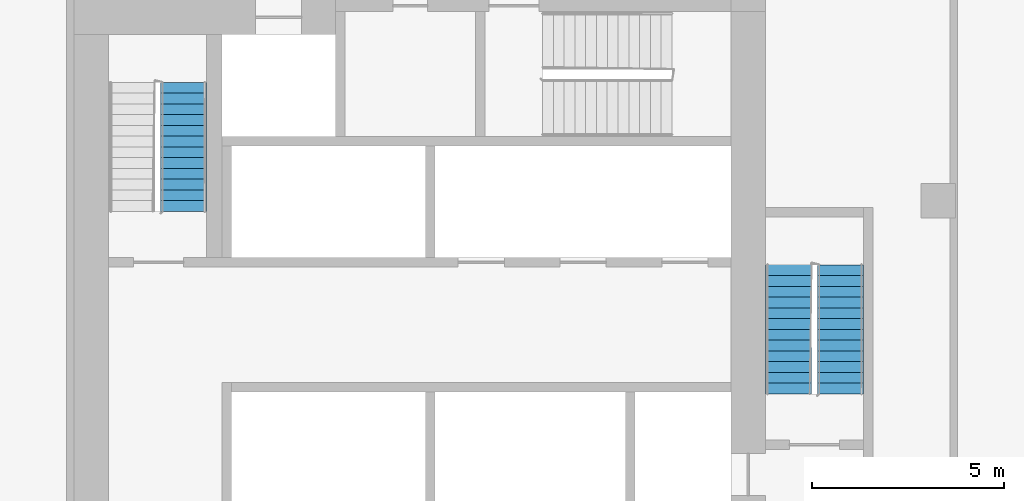
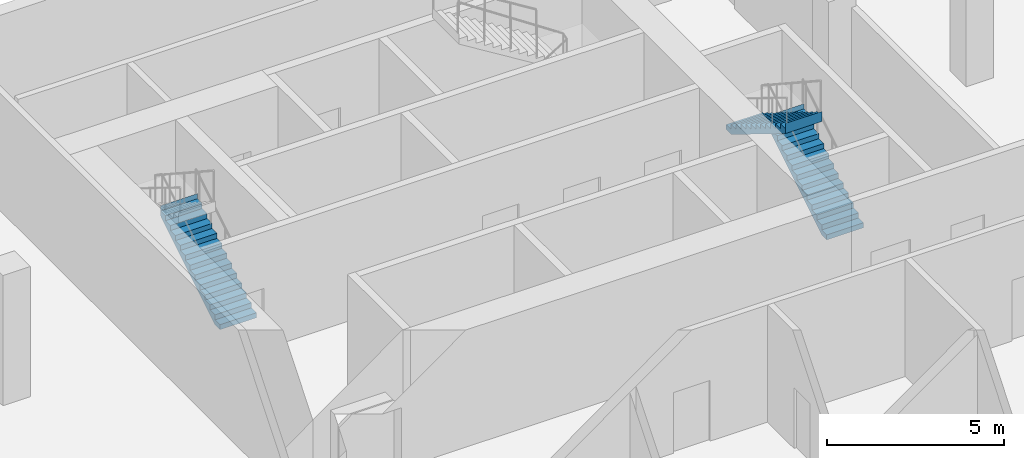
# One storey, part 11 of 15: 3 stair flights, 2 elements without a shape of their own.
"""IFC4 building model written with IfcOpenShell, lengths in metres."""

from ifc_helpers import new_model, si_unit, direction, frame, origin, place, context, subcontext, project, spatial, faceted_brep, material, type_object, element, aggregate, save


model = new_model("IFC4")

# Units and contexts
model_context = context("Model", 3, precision=1e-05, world=origin(), true_north=direction((0.0, 1.0)))
body_context = subcontext(model_context, "Body", "Model", "MODEL_VIEW")
ifc_project = project(units=[si_unit("LENGTHUNIT", "METRE"), si_unit("AREAUNIT", "SQUARE_METRE"), si_unit("VOLUMEUNIT", "CUBIC_METRE"), si_unit("PLANEANGLEUNIT", "RADIAN"), si_unit("MASSUNIT", "GRAM", prefix="KILO")], contexts=[model_context])

# Site, building, storey
site_placement = place(None, origin())
site = spatial("IfcSite", under=ifc_project, at=site_placement, CompositionType="ELEMENT")
building_placement = place(site_placement, origin())
building = spatial("IfcBuilding", under=site, at=building_placement, Name="Kajstack Hotel Tower", CompositionType="ELEMENT")
storey_placement = place(building_placement, frame((0.0, 0.0, 29.0)))
storey = spatial("IfcBuildingStorey", under=building, at=storey_placement, Name="L04", CompositionType="ELEMENT", Elevation=29.0)

# Stair, stair flights
ifc_material = material(Name="Concrete C40/50", Category="concrete")
stair_type = type_object("IfcStairType", Name="Exit stair 1200", PredefinedType="HALF_TURN_STAIR", material=ifc_material)
stair_1_placement = place(storey_placement, origin())
stair_1 = element("IfcStair", 1, at=stair_1_placement, inside=storey, type_object=stair_type, Name="L04 stair E1", PredefinedType="HALF_TURN_STAIR")
stair_flight_type = type_object("IfcStairFlightType", Name="Exit stair flight 1200", PredefinedType="STRAIGHT", material=ifc_material)
stair_flight_1_placement = place(storey_placement, frame((33.449951171875, 5.25, 0.0), z_axis=(0.0, 0.0, 1.0), x_axis=(0.0, 1.0, 0.0)))
stair_flight_1 = element("IfcStairFlight", 2, at=stair_flight_1_placement, type_object=stair_flight_type, Name="E1 flight 1", NumberOfRisers=13, NumberOfTreads=12, PredefinedType="STRAIGHT", RiserHeight=0.173076923, TreadLength=0.28, context=body_context, shape_type="Brep", body=[
    faceted_brep([(0.28564453125, -0.60009765625, 0.0), (3.360595703125, -0.60009765625, 1.900634765625), (3.360595703125, -0.60009765625, 2.25), (3.360107421875, -0.60009765625, 2.25), (3.360107421875, -0.60009765625, 2.076904296875), (3.080078125, -0.60009765625, 2.076904296875), (3.080078125, -0.60009765625, 1.90380859375), (2.800048828125, -0.60009765625, 1.90380859375), (2.800048828125, -0.60009765625, 1.730712890625), (2.52001953125, -0.60009765625, 1.730712890625), (2.52001953125, -0.60009765625, 1.5576171875), (2.239990234375, -0.60009765625, 1.5576171875), (2.239990234375, -0.60009765625, 1.384521484375), (1.9599609375, -0.60009765625, 1.384521484375), (1.9599609375, -0.60009765625, 1.21142578125), (1.679931640625, -0.60009765625, 1.21142578125), (1.679931640625, -0.60009765625, 1.03857421875), (1.39990234375, -0.60009765625, 1.03857421875), (1.39990234375, -0.60009765625, 0.865478515625), (1.1201171875, -0.60009765625, 0.865478515625), (1.1201171875, -0.60009765625, 0.6923828125), (0.840087890625, -0.60009765625, 0.6923828125), (0.840087890625, -0.60009765625, 0.519287109375), (0.56005859375, -0.60009765625, 0.519287109375), (0.56005859375, -0.60009765625, 0.34619140625), (0.280029296875, -0.60009765625, 0.34619140625), (0.280029296875, -0.60009765625, 0.173095703125), (-0.00048828125, -0.60009765625, 0.173095703125), (-0.00048828125, -0.60009765625, 0.0), (-0.00048828125, 0.60009765625, 0.0), (-0.00048828125, 0.60009765625, 0.173095703125), (0.280029296875, 0.60009765625, 0.173095703125), (0.280029296875, 0.60009765625, 0.34619140625), (0.56005859375, 0.60009765625, 0.34619140625), (0.56005859375, 0.60009765625, 0.519287109375), (0.840087890625, 0.60009765625, 0.519287109375), (0.840087890625, 0.60009765625, 0.6923828125), (1.1201171875, 0.60009765625, 0.6923828125), (1.1201171875, 0.60009765625, 0.865478515625), (1.39990234375, 0.60009765625, 0.865478515625), (1.39990234375, 0.60009765625, 1.03857421875), (1.679931640625, 0.60009765625, 1.03857421875), (1.679931640625, 0.60009765625, 1.21142578125), (1.9599609375, 0.60009765625, 1.21142578125), (1.9599609375, 0.60009765625, 1.384521484375), (2.239990234375, 0.60009765625, 1.384521484375), (2.239990234375, 0.60009765625, 1.5576171875), (2.52001953125, 0.60009765625, 1.5576171875), (2.52001953125, 0.60009765625, 1.730712890625), (2.800048828125, 0.60009765625, 1.730712890625), (2.800048828125, 0.60009765625, 1.90380859375), (3.080078125, 0.60009765625, 1.90380859375), (3.080078125, 0.60009765625, 2.076904296875), (3.360107421875, 0.60009765625, 2.076904296875), (3.360107421875, 0.60009765625, 2.25), (3.360595703125, 0.60009765625, 2.25), (3.360595703125, 0.60009765625, 1.900634765625), (0.28564453125, 0.60009765625, 0.0), (-0.00048828125, -0.300048828125, 0.173095703125), (-0.00048828125, 0.0, 0.173095703125), (-0.00048828125, 0.300048828125, 0.173095703125), (-0.00048828125, 0.300048828125, 0.0), (-0.00048828125, 0.0, 0.0), (-0.00048828125, -0.300048828125, 0.0), (0.280029296875, -0.300048828125, 0.173095703125), (0.280029296875, 0.0, 0.173095703125), (0.280029296875, 0.300048828125, 0.173095703125), (0.280029296875, -0.300048828125, 0.34619140625), (0.280029296875, 0.0, 0.34619140625), (0.280029296875, 0.300048828125, 0.34619140625), (0.56005859375, -0.300048828125, 0.34619140625), (0.56005859375, 0.0, 0.34619140625), (0.56005859375, 0.300048828125, 0.34619140625), (0.56005859375, -0.300048828125, 0.519287109375), (0.56005859375, 0.0, 0.519287109375), (0.56005859375, 0.300048828125, 0.519287109375), (0.840087890625, -0.300048828125, 0.519287109375), (0.840087890625, 0.0, 0.519287109375), (0.840087890625, 0.300048828125, 0.519287109375), (0.840087890625, -0.300048828125, 0.6923828125), (0.840087890625, 0.0, 0.6923828125), (0.840087890625, 0.300048828125, 0.6923828125), (1.1201171875, -0.300048828125, 0.6923828125), (1.1201171875, 0.0, 0.6923828125), (1.1201171875, 0.300048828125, 0.6923828125), (1.1201171875, -0.300048828125, 0.865478515625), (1.1201171875, 0.0, 0.865478515625), (1.1201171875, 0.300048828125, 0.865478515625), (1.39990234375, -0.300048828125, 0.865478515625), (1.39990234375, 0.0, 0.865478515625), (1.39990234375, 0.300048828125, 0.865478515625), (1.39990234375, -0.300048828125, 1.03857421875), (1.39990234375, 0.0, 1.03857421875), (1.39990234375, 0.300048828125, 1.03857421875), (1.679931640625, -0.300048828125, 1.03857421875), (1.679931640625, 0.0, 1.03857421875), (1.679931640625, 0.300048828125, 1.03857421875), (1.679931640625, -0.300048828125, 1.21142578125), (1.679931640625, 0.0, 1.21142578125), (1.679931640625, 0.300048828125, 1.21142578125), (1.9599609375, -0.300048828125, 1.21142578125), (1.9599609375, 0.0, 1.21142578125), (1.9599609375, 0.300048828125, 1.21142578125), (1.9599609375, -0.300048828125, 1.384521484375), (1.9599609375, 0.0, 1.384521484375), (1.9599609375, 0.300048828125, 1.384521484375), (2.239990234375, -0.300048828125, 1.384521484375), (2.239990234375, 0.0, 1.384521484375), (2.239990234375, 0.300048828125, 1.384521484375), (2.239990234375, -0.300048828125, 1.5576171875), (2.239990234375, 0.0, 1.5576171875), (2.239990234375, 0.300048828125, 1.5576171875), (2.52001953125, -0.300048828125, 1.5576171875), (2.52001953125, 0.0, 1.5576171875), (2.52001953125, 0.300048828125, 1.5576171875), (2.52001953125, -0.300048828125, 1.730712890625), (2.52001953125, 0.0, 1.730712890625), (2.52001953125, 0.300048828125, 1.730712890625), (2.800048828125, -0.300048828125, 1.730712890625), (2.800048828125, 0.0, 1.730712890625), (2.800048828125, 0.300048828125, 1.730712890625), (2.800048828125, -0.300048828125, 1.90380859375), (2.800048828125, 0.0, 1.90380859375), (2.800048828125, 0.300048828125, 1.90380859375), (3.080078125, -0.300048828125, 1.90380859375), (3.080078125, 0.0, 1.90380859375), (3.080078125, 0.300048828125, 1.90380859375), (3.080078125, -0.300048828125, 2.076904296875), (3.080078125, 0.0, 2.076904296875), (3.080078125, 0.300048828125, 2.076904296875), (3.360107421875, -0.300048828125, 2.076904296875), (3.360107421875, 0.0, 2.076904296875), (3.360107421875, 0.300048828125, 2.076904296875), (3.360107421875, -0.300048828125, 2.25), (3.360107421875, 0.0, 2.25), (3.360107421875, 0.300048828125, 2.25), (3.360595703125, -0.300048828125, 2.25), (3.360595703125, 0.0, 2.25), (3.360595703125, 0.300048828125, 2.25), (3.360595703125, -0.300048828125, 1.900634765625), (3.360595703125, 0.0, 1.900634765625), (3.360595703125, 0.300048828125, 1.900634765625), (0.28564453125, -0.300048828125, 0.0), (0.28564453125, 0.0, 0.0), (0.28564453125, 0.300048828125, 0.0)], [[[0, 1, 2, 3, 4, 5, 6, 7, 8, 9, 10, 11, 12, 13, 14, 15, 16, 17, 18, 19, 20, 21, 22, 23, 24, 25, 26, 27, 28]], [[29, 30, 31, 32, 33, 34, 35, 36, 37, 38, 39, 40, 41, 42, 43, 44, 45, 46, 47, 48, 49, 50, 51, 52, 53, 54, 55, 56, 57]], [[27, 58, 59, 60, 30, 29, 61, 62, 63, 28]], [[26, 64, 65, 66, 31, 30, 60, 59, 58, 27]], [[25, 67, 68, 69, 32, 31, 66, 65, 64, 26]], [[24, 70, 71, 72, 33, 32, 69, 68, 67, 25]], [[23, 73, 74, 75, 34, 33, 72, 71, 70, 24]], [[22, 76, 77, 78, 35, 34, 75, 74, 73, 23]], [[21, 79, 80, 81, 36, 35, 78, 77, 76, 22]], [[20, 82, 83, 84, 37, 36, 81, 80, 79, 21]], [[19, 85, 86, 87, 38, 37, 84, 83, 82, 20]], [[18, 88, 89, 90, 39, 38, 87, 86, 85, 19]], [[17, 91, 92, 93, 40, 39, 90, 89, 88, 18]], [[16, 94, 95, 96, 41, 40, 93, 92, 91, 17]], [[15, 97, 98, 99, 42, 41, 96, 95, 94, 16]], [[14, 100, 101, 102, 43, 42, 99, 98, 97, 15]], [[13, 103, 104, 105, 44, 43, 102, 101, 100, 14]], [[12, 106, 107, 108, 45, 44, 105, 104, 103, 13]], [[11, 109, 110, 111, 46, 45, 108, 107, 106, 12]], [[10, 112, 113, 114, 47, 46, 111, 110, 109, 11]], [[9, 115, 116, 117, 48, 47, 114, 113, 112, 10]], [[8, 118, 119, 120, 49, 48, 117, 116, 115, 9]], [[7, 121, 122, 123, 50, 49, 120, 119, 118, 8]], [[6, 124, 125, 126, 51, 50, 123, 122, 121, 7]], [[5, 127, 128, 129, 52, 51, 126, 125, 124, 6]], [[4, 130, 131, 132, 53, 52, 129, 128, 127, 5]], [[3, 133, 134, 135, 54, 53, 132, 131, 130, 4]], [[2, 136, 137, 138, 55, 54, 135, 134, 133, 3]], [[1, 139, 140, 141, 56, 55, 138, 137, 136, 2]], [[0, 142, 143, 144, 57, 56, 141, 140, 139, 1]], [[28, 63, 62, 61, 29, 57, 144, 143, 142, 0]]]),
])
stair_flight_2_placement = place(storey_placement, frame((32.10009765625, 8.610107421875, 2.25), z_axis=(0.0, 0.0, 1.0), x_axis=(0.0, -1.0, 0.0)))
stair_flight_2 = element("IfcStairFlight", 3, at=stair_flight_2_placement, type_object=stair_flight_type, Name="E1 flight 2", NumberOfRisers=13, NumberOfTreads=12, PredefinedType="STRAIGHT", RiserHeight=0.173076923, TreadLength=0.28, context=body_context, shape_type="Brep", body=[
    faceted_brep([(0.28564453125, -0.60009765625, 0.0), (3.360595703125, -0.60009765625, 1.900634765625), (3.360595703125, -0.60009765625, 2.25), (3.360107421875, -0.60009765625, 2.25), (3.360107421875, -0.60009765625, 2.076904296875), (3.080078125, -0.60009765625, 2.076904296875), (3.080078125, -0.60009765625, 1.90380859375), (2.800048828125, -0.60009765625, 1.90380859375), (2.800048828125, -0.60009765625, 1.730712890625), (2.52001953125, -0.60009765625, 1.730712890625), (2.52001953125, -0.60009765625, 1.5576171875), (2.239990234375, -0.60009765625, 1.5576171875), (2.239990234375, -0.60009765625, 1.384521484375), (1.9599609375, -0.60009765625, 1.384521484375), (1.9599609375, -0.60009765625, 1.21142578125), (1.679931640625, -0.60009765625, 1.21142578125), (1.679931640625, -0.60009765625, 1.03857421875), (1.39990234375, -0.60009765625, 1.03857421875), (1.39990234375, -0.60009765625, 0.865478515625), (1.1201171875, -0.60009765625, 0.865478515625), (1.1201171875, -0.60009765625, 0.6923828125), (0.840087890625, -0.60009765625, 0.6923828125), (0.840087890625, -0.60009765625, 0.519287109375), (0.56005859375, -0.60009765625, 0.519287109375), (0.56005859375, -0.60009765625, 0.34619140625), (0.280029296875, -0.60009765625, 0.34619140625), (0.280029296875, -0.60009765625, 0.173095703125), (-0.00048828125, -0.60009765625, 0.173095703125), (-0.00048828125, -0.60009765625, 0.0), (-0.00048828125, 0.60009765625, 0.0), (-0.00048828125, 0.60009765625, 0.173095703125), (0.280029296875, 0.60009765625, 0.173095703125), (0.280029296875, 0.60009765625, 0.34619140625), (0.56005859375, 0.60009765625, 0.34619140625), (0.56005859375, 0.60009765625, 0.519287109375), (0.840087890625, 0.60009765625, 0.519287109375), (0.840087890625, 0.60009765625, 0.6923828125), (1.1201171875, 0.60009765625, 0.6923828125), (1.1201171875, 0.60009765625, 0.865478515625), (1.39990234375, 0.60009765625, 0.865478515625), (1.39990234375, 0.60009765625, 1.03857421875), (1.679931640625, 0.60009765625, 1.03857421875), (1.679931640625, 0.60009765625, 1.21142578125), (1.9599609375, 0.60009765625, 1.21142578125), (1.9599609375, 0.60009765625, 1.384521484375), (2.239990234375, 0.60009765625, 1.384521484375), (2.239990234375, 0.60009765625, 1.5576171875), (2.52001953125, 0.60009765625, 1.5576171875), (2.52001953125, 0.60009765625, 1.730712890625), (2.800048828125, 0.60009765625, 1.730712890625), (2.800048828125, 0.60009765625, 1.90380859375), (3.080078125, 0.60009765625, 1.90380859375), (3.080078125, 0.60009765625, 2.076904296875), (3.360107421875, 0.60009765625, 2.076904296875), (3.360107421875, 0.60009765625, 2.25), (3.360595703125, 0.60009765625, 2.25), (3.360595703125, 0.60009765625, 1.900634765625), (0.28564453125, 0.60009765625, 0.0), (-0.00048828125, -0.300048828125, 0.173095703125), (-0.00048828125, 0.0, 0.173095703125), (-0.00048828125, 0.300048828125, 0.173095703125), (-0.00048828125, 0.300048828125, 0.0), (-0.00048828125, 0.0, 0.0), (-0.00048828125, -0.300048828125, 0.0), (0.280029296875, -0.300048828125, 0.173095703125), (0.280029296875, 0.0, 0.173095703125), (0.280029296875, 0.300048828125, 0.173095703125), (0.280029296875, -0.300048828125, 0.34619140625), (0.280029296875, 0.0, 0.34619140625), (0.280029296875, 0.300048828125, 0.34619140625), (0.56005859375, -0.300048828125, 0.34619140625), (0.56005859375, 0.0, 0.34619140625), (0.56005859375, 0.300048828125, 0.34619140625), (0.56005859375, -0.300048828125, 0.519287109375), (0.56005859375, 0.0, 0.519287109375), (0.56005859375, 0.300048828125, 0.519287109375), (0.840087890625, -0.300048828125, 0.519287109375), (0.840087890625, 0.0, 0.519287109375), (0.840087890625, 0.300048828125, 0.519287109375), (0.840087890625, -0.300048828125, 0.6923828125), (0.840087890625, 0.0, 0.6923828125), (0.840087890625, 0.300048828125, 0.6923828125), (1.1201171875, -0.300048828125, 0.6923828125), (1.1201171875, 0.0, 0.6923828125), (1.1201171875, 0.300048828125, 0.6923828125), (1.1201171875, -0.300048828125, 0.865478515625), (1.1201171875, 0.0, 0.865478515625), (1.1201171875, 0.300048828125, 0.865478515625), (1.39990234375, -0.300048828125, 0.865478515625), (1.39990234375, 0.0, 0.865478515625), (1.39990234375, 0.300048828125, 0.865478515625), (1.39990234375, -0.300048828125, 1.03857421875), (1.39990234375, 0.0, 1.03857421875), (1.39990234375, 0.300048828125, 1.03857421875), (1.679931640625, -0.300048828125, 1.03857421875), (1.679931640625, 0.0, 1.03857421875), (1.679931640625, 0.300048828125, 1.03857421875), (1.679931640625, -0.300048828125, 1.21142578125), (1.679931640625, 0.0, 1.21142578125), (1.679931640625, 0.300048828125, 1.21142578125), (1.9599609375, -0.300048828125, 1.21142578125), (1.9599609375, 0.0, 1.21142578125), (1.9599609375, 0.300048828125, 1.21142578125), (1.9599609375, -0.300048828125, 1.384521484375), (1.9599609375, 0.0, 1.384521484375), (1.9599609375, 0.300048828125, 1.384521484375), (2.239990234375, -0.300048828125, 1.384521484375), (2.239990234375, 0.0, 1.384521484375), (2.239990234375, 0.300048828125, 1.384521484375), (2.239990234375, -0.300048828125, 1.5576171875), (2.239990234375, 0.0, 1.5576171875), (2.239990234375, 0.300048828125, 1.5576171875), (2.52001953125, -0.300048828125, 1.5576171875), (2.52001953125, 0.0, 1.5576171875), (2.52001953125, 0.300048828125, 1.5576171875), (2.52001953125, -0.300048828125, 1.730712890625), (2.52001953125, 0.0, 1.730712890625), (2.52001953125, 0.300048828125, 1.730712890625), (2.800048828125, -0.300048828125, 1.730712890625), (2.800048828125, 0.0, 1.730712890625), (2.800048828125, 0.300048828125, 1.730712890625), (2.800048828125, -0.300048828125, 1.90380859375), (2.800048828125, 0.0, 1.90380859375), (2.800048828125, 0.300048828125, 1.90380859375), (3.080078125, -0.300048828125, 1.90380859375), (3.080078125, 0.0, 1.90380859375), (3.080078125, 0.300048828125, 1.90380859375), (3.080078125, -0.300048828125, 2.076904296875), (3.080078125, 0.0, 2.076904296875), (3.080078125, 0.300048828125, 2.076904296875), (3.360107421875, -0.300048828125, 2.076904296875), (3.360107421875, 0.0, 2.076904296875), (3.360107421875, 0.300048828125, 2.076904296875), (3.360107421875, -0.300048828125, 2.25), (3.360107421875, 0.0, 2.25), (3.360107421875, 0.300048828125, 2.25), (3.360595703125, -0.300048828125, 2.25), (3.360595703125, 0.0, 2.25), (3.360595703125, 0.300048828125, 2.25), (3.360595703125, -0.300048828125, 1.900634765625), (3.360595703125, 0.0, 1.900634765625), (3.360595703125, 0.300048828125, 1.900634765625), (0.28564453125, -0.300048828125, 0.0), (0.28564453125, 0.0, 0.0), (0.28564453125, 0.300048828125, 0.0)], [[[0, 1, 2, 3, 4, 5, 6, 7, 8, 9, 10, 11, 12, 13, 14, 15, 16, 17, 18, 19, 20, 21, 22, 23, 24, 25, 26, 27, 28]], [[29, 30, 31, 32, 33, 34, 35, 36, 37, 38, 39, 40, 41, 42, 43, 44, 45, 46, 47, 48, 49, 50, 51, 52, 53, 54, 55, 56, 57]], [[27, 58, 59, 60, 30, 29, 61, 62, 63, 28]], [[26, 64, 65, 66, 31, 30, 60, 59, 58, 27]], [[25, 67, 68, 69, 32, 31, 66, 65, 64, 26]], [[24, 70, 71, 72, 33, 32, 69, 68, 67, 25]], [[23, 73, 74, 75, 34, 33, 72, 71, 70, 24]], [[22, 76, 77, 78, 35, 34, 75, 74, 73, 23]], [[21, 79, 80, 81, 36, 35, 78, 77, 76, 22]], [[20, 82, 83, 84, 37, 36, 81, 80, 79, 21]], [[19, 85, 86, 87, 38, 37, 84, 83, 82, 20]], [[18, 88, 89, 90, 39, 38, 87, 86, 85, 19]], [[17, 91, 92, 93, 40, 39, 90, 89, 88, 18]], [[16, 94, 95, 96, 41, 40, 93, 92, 91, 17]], [[15, 97, 98, 99, 42, 41, 96, 95, 94, 16]], [[14, 100, 101, 102, 43, 42, 99, 98, 97, 15]], [[13, 103, 104, 105, 44, 43, 102, 101, 100, 14]], [[12, 106, 107, 108, 45, 44, 105, 104, 103, 13]], [[11, 109, 110, 111, 46, 45, 108, 107, 106, 12]], [[10, 112, 113, 114, 47, 46, 111, 110, 109, 11]], [[9, 115, 116, 117, 48, 47, 114, 113, 112, 10]], [[8, 118, 119, 120, 49, 48, 117, 116, 115, 9]], [[7, 121, 122, 123, 50, 49, 120, 119, 118, 8]], [[6, 124, 125, 126, 51, 50, 123, 122, 121, 7]], [[5, 127, 128, 129, 52, 51, 126, 125, 124, 6]], [[4, 130, 131, 132, 53, 52, 129, 128, 127, 5]], [[3, 133, 134, 135, 54, 53, 132, 131, 130, 4]], [[2, 136, 137, 138, 55, 54, 135, 134, 133, 3]], [[1, 139, 140, 141, 56, 55, 138, 137, 136, 2]], [[0, 142, 143, 144, 57, 56, 141, 140, 139, 1]], [[28, 63, 62, 61, 29, 57, 144, 143, 142, 0]]]),
])
aggregate(stair_1, [stair_flight_1, stair_flight_2])

# Stair, stair flight
stair_2_placement = place(storey_placement, origin())
stair_2 = element("IfcStair", 4, at=stair_2_placement, inside=storey, type_object=stair_type, Name="L04 stair E2", PredefinedType="HALF_TURN_STAIR")
stair_flight_3_placement = place(storey_placement, frame((16.35009765625, 10.0, 0.0), z_axis=(0.0, 0.0, 1.0), x_axis=(0.0, 1.0, 0.0)))
stair_flight_3 = element("IfcStairFlight", 5, at=stair_flight_3_placement, type_object=stair_flight_type, Name="E2 flight 1", NumberOfRisers=13, NumberOfTreads=12, PredefinedType="STRAIGHT", RiserHeight=0.173076923, TreadLength=0.28, context=body_context, shape_type="Brep", body=[
    faceted_brep([(0.28564453125, -0.60009765625, 0.0), (3.360595703125, -0.60009765625, 1.900634765625), (3.360595703125, -0.60009765625, 2.25), (3.360107421875, -0.60009765625, 2.25), (3.360107421875, -0.60009765625, 2.076904296875), (3.080078125, -0.60009765625, 2.076904296875), (3.080078125, -0.60009765625, 1.90380859375), (2.800048828125, -0.60009765625, 1.90380859375), (2.800048828125, -0.60009765625, 1.730712890625), (2.52001953125, -0.60009765625, 1.730712890625), (2.52001953125, -0.60009765625, 1.5576171875), (2.239990234375, -0.60009765625, 1.5576171875), (2.239990234375, -0.60009765625, 1.384521484375), (1.9599609375, -0.60009765625, 1.384521484375), (1.9599609375, -0.60009765625, 1.21142578125), (1.679931640625, -0.60009765625, 1.21142578125), (1.679931640625, -0.60009765625, 1.03857421875), (1.39990234375, -0.60009765625, 1.03857421875), (1.39990234375, -0.60009765625, 0.865478515625), (1.1201171875, -0.60009765625, 0.865478515625), (1.1201171875, -0.60009765625, 0.6923828125), (0.840087890625, -0.60009765625, 0.6923828125), (0.840087890625, -0.60009765625, 0.519287109375), (0.56005859375, -0.60009765625, 0.519287109375), (0.56005859375, -0.60009765625, 0.34619140625), (0.280029296875, -0.60009765625, 0.34619140625), (0.280029296875, -0.60009765625, 0.173095703125), (-0.00048828125, -0.60009765625, 0.173095703125), (-0.00048828125, -0.60009765625, 0.0), (-0.00048828125, 0.60009765625, 0.0), (-0.00048828125, 0.60009765625, 0.173095703125), (0.280029296875, 0.60009765625, 0.173095703125), (0.280029296875, 0.60009765625, 0.34619140625), (0.56005859375, 0.60009765625, 0.34619140625), (0.56005859375, 0.60009765625, 0.519287109375), (0.840087890625, 0.60009765625, 0.519287109375), (0.840087890625, 0.60009765625, 0.6923828125), (1.1201171875, 0.60009765625, 0.6923828125), (1.1201171875, 0.60009765625, 0.865478515625), (1.39990234375, 0.60009765625, 0.865478515625), (1.39990234375, 0.60009765625, 1.03857421875), (1.679931640625, 0.60009765625, 1.03857421875), (1.679931640625, 0.60009765625, 1.21142578125), (1.9599609375, 0.60009765625, 1.21142578125), (1.9599609375, 0.60009765625, 1.384521484375), (2.239990234375, 0.60009765625, 1.384521484375), (2.239990234375, 0.60009765625, 1.5576171875), (2.52001953125, 0.60009765625, 1.5576171875), (2.52001953125, 0.60009765625, 1.730712890625), (2.800048828125, 0.60009765625, 1.730712890625), (2.800048828125, 0.60009765625, 1.90380859375), (3.080078125, 0.60009765625, 1.90380859375), (3.080078125, 0.60009765625, 2.076904296875), (3.360107421875, 0.60009765625, 2.076904296875), (3.360107421875, 0.60009765625, 2.25), (3.360595703125, 0.60009765625, 2.25), (3.360595703125, 0.60009765625, 1.900634765625), (0.28564453125, 0.60009765625, 0.0), (-0.00048828125, -0.300048828125, 0.173095703125), (-0.00048828125, 0.0, 0.173095703125), (-0.00048828125, 0.300048828125, 0.173095703125), (-0.00048828125, 0.300048828125, 0.0), (-0.00048828125, 0.0, 0.0), (-0.00048828125, -0.300048828125, 0.0), (0.280029296875, -0.300048828125, 0.173095703125), (0.280029296875, 0.0, 0.173095703125), (0.280029296875, 0.300048828125, 0.173095703125), (0.280029296875, -0.300048828125, 0.34619140625), (0.280029296875, 0.0, 0.34619140625), (0.280029296875, 0.300048828125, 0.34619140625), (0.56005859375, -0.300048828125, 0.34619140625), (0.56005859375, 0.0, 0.34619140625), (0.56005859375, 0.300048828125, 0.34619140625), (0.56005859375, -0.300048828125, 0.519287109375), (0.56005859375, 0.0, 0.519287109375), (0.56005859375, 0.300048828125, 0.519287109375), (0.840087890625, -0.300048828125, 0.519287109375), (0.840087890625, 0.0, 0.519287109375), (0.840087890625, 0.300048828125, 0.519287109375), (0.840087890625, -0.300048828125, 0.6923828125), (0.840087890625, 0.0, 0.6923828125), (0.840087890625, 0.300048828125, 0.6923828125), (1.1201171875, -0.300048828125, 0.6923828125), (1.1201171875, 0.0, 0.6923828125), (1.1201171875, 0.300048828125, 0.6923828125), (1.1201171875, -0.300048828125, 0.865478515625), (1.1201171875, 0.0, 0.865478515625), (1.1201171875, 0.300048828125, 0.865478515625), (1.39990234375, -0.300048828125, 0.865478515625), (1.39990234375, 0.0, 0.865478515625), (1.39990234375, 0.300048828125, 0.865478515625), (1.39990234375, -0.300048828125, 1.03857421875), (1.39990234375, 0.0, 1.03857421875), (1.39990234375, 0.300048828125, 1.03857421875), (1.679931640625, -0.300048828125, 1.03857421875), (1.679931640625, 0.0, 1.03857421875), (1.679931640625, 0.300048828125, 1.03857421875), (1.679931640625, -0.300048828125, 1.21142578125), (1.679931640625, 0.0, 1.21142578125), (1.679931640625, 0.300048828125, 1.21142578125), (1.9599609375, -0.300048828125, 1.21142578125), (1.9599609375, 0.0, 1.21142578125), (1.9599609375, 0.300048828125, 1.21142578125), (1.9599609375, -0.300048828125, 1.384521484375), (1.9599609375, 0.0, 1.384521484375), (1.9599609375, 0.300048828125, 1.384521484375), (2.239990234375, -0.300048828125, 1.384521484375), (2.239990234375, 0.0, 1.384521484375), (2.239990234375, 0.300048828125, 1.384521484375), (2.239990234375, -0.300048828125, 1.5576171875), (2.239990234375, 0.0, 1.5576171875), (2.239990234375, 0.300048828125, 1.5576171875), (2.52001953125, -0.300048828125, 1.5576171875), (2.52001953125, 0.0, 1.5576171875), (2.52001953125, 0.300048828125, 1.5576171875), (2.52001953125, -0.300048828125, 1.730712890625), (2.52001953125, 0.0, 1.730712890625), (2.52001953125, 0.300048828125, 1.730712890625), (2.800048828125, -0.300048828125, 1.730712890625), (2.800048828125, 0.0, 1.730712890625), (2.800048828125, 0.300048828125, 1.730712890625), (2.800048828125, -0.300048828125, 1.90380859375), (2.800048828125, 0.0, 1.90380859375), (2.800048828125, 0.300048828125, 1.90380859375), (3.080078125, -0.300048828125, 1.90380859375), (3.080078125, 0.0, 1.90380859375), (3.080078125, 0.300048828125, 1.90380859375), (3.080078125, -0.300048828125, 2.076904296875), (3.080078125, 0.0, 2.076904296875), (3.080078125, 0.300048828125, 2.076904296875), (3.360107421875, -0.300048828125, 2.076904296875), (3.360107421875, 0.0, 2.076904296875), (3.360107421875, 0.300048828125, 2.076904296875), (3.360107421875, -0.300048828125, 2.25), (3.360107421875, 0.0, 2.25), (3.360107421875, 0.300048828125, 2.25), (3.360595703125, -0.300048828125, 2.25), (3.360595703125, 0.0, 2.25), (3.360595703125, 0.300048828125, 2.25), (3.360595703125, -0.300048828125, 1.900634765625), (3.360595703125, 0.0, 1.900634765625), (3.360595703125, 0.300048828125, 1.900634765625), (0.28564453125, -0.300048828125, 0.0), (0.28564453125, 0.0, 0.0), (0.28564453125, 0.300048828125, 0.0)], [[[0, 1, 2, 3, 4, 5, 6, 7, 8, 9, 10, 11, 12, 13, 14, 15, 16, 17, 18, 19, 20, 21, 22, 23, 24, 25, 26, 27, 28]], [[29, 30, 31, 32, 33, 34, 35, 36, 37, 38, 39, 40, 41, 42, 43, 44, 45, 46, 47, 48, 49, 50, 51, 52, 53, 54, 55, 56, 57]], [[27, 58, 59, 60, 30, 29, 61, 62, 63, 28]], [[26, 64, 65, 66, 31, 30, 60, 59, 58, 27]], [[25, 67, 68, 69, 32, 31, 66, 65, 64, 26]], [[24, 70, 71, 72, 33, 32, 69, 68, 67, 25]], [[23, 73, 74, 75, 34, 33, 72, 71, 70, 24]], [[22, 76, 77, 78, 35, 34, 75, 74, 73, 23]], [[21, 79, 80, 81, 36, 35, 78, 77, 76, 22]], [[20, 82, 83, 84, 37, 36, 81, 80, 79, 21]], [[19, 85, 86, 87, 38, 37, 84, 83, 82, 20]], [[18, 88, 89, 90, 39, 38, 87, 86, 85, 19]], [[17, 91, 92, 93, 40, 39, 90, 89, 88, 18]], [[16, 94, 95, 96, 41, 40, 93, 92, 91, 17]], [[15, 97, 98, 99, 42, 41, 96, 95, 94, 16]], [[14, 100, 101, 102, 43, 42, 99, 98, 97, 15]], [[13, 103, 104, 105, 44, 43, 102, 101, 100, 14]], [[12, 106, 107, 108, 45, 44, 105, 104, 103, 13]], [[11, 109, 110, 111, 46, 45, 108, 107, 106, 12]], [[10, 112, 113, 114, 47, 46, 111, 110, 109, 11]], [[9, 115, 116, 117, 48, 47, 114, 113, 112, 10]], [[8, 118, 119, 120, 49, 48, 117, 116, 115, 9]], [[7, 121, 122, 123, 50, 49, 120, 119, 118, 8]], [[6, 124, 125, 126, 51, 50, 123, 122, 121, 7]], [[5, 127, 128, 129, 52, 51, 126, 125, 124, 6]], [[4, 130, 131, 132, 53, 52, 129, 128, 127, 5]], [[3, 133, 134, 135, 54, 53, 132, 131, 130, 4]], [[2, 136, 137, 138, 55, 54, 135, 134, 133, 3]], [[1, 139, 140, 141, 56, 55, 138, 137, 136, 2]], [[0, 142, 143, 144, 57, 56, 141, 140, 139, 1]], [[28, 63, 62, 61, 29, 57, 144, 143, 142, 0]]]),
])
aggregate(stair_2, [stair_flight_3])

save(model, "model.ifc")
